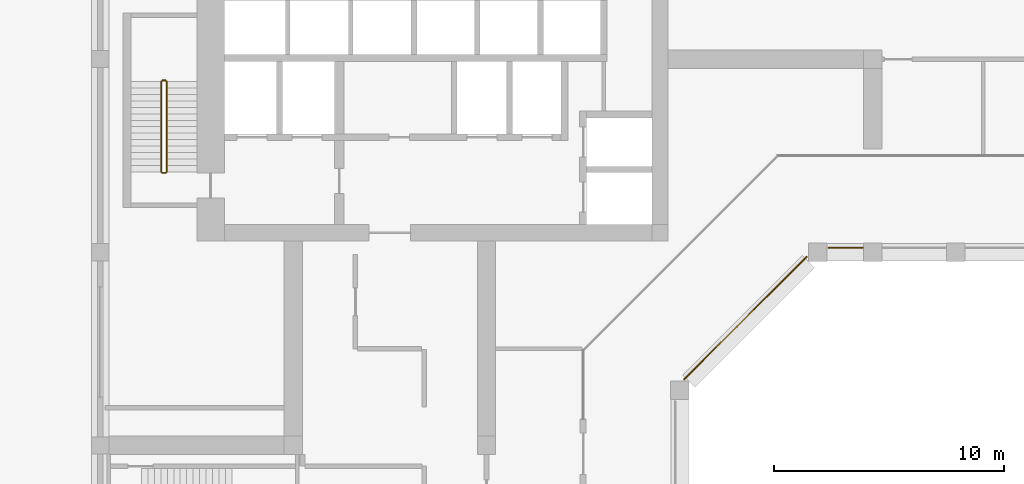
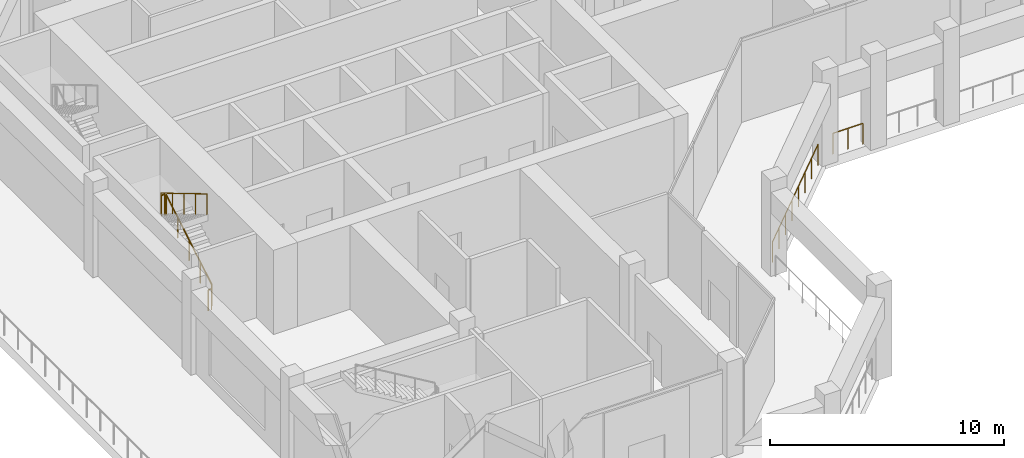
# One storey, part 13 of 16: 6 railings.
"""IFC4 building model written with IfcOpenShell, lengths in metres."""

from ifc_helpers import new_model, si_unit, direction, frame, origin, origin_2d, place, context, subcontext, project, spatial, circle, extrude, material, type_object, element, save


model = new_model("IFC4")

# Units and contexts
model_context = context("Model", 3, precision=1e-05, world=origin(), true_north=direction((0.0, 1.0)))
body_context = subcontext(model_context, "Body", "Model", "MODEL_VIEW")
ifc_project = project(units=[si_unit("LENGTHUNIT", "METRE"), si_unit("AREAUNIT", "SQUARE_METRE"), si_unit("VOLUMEUNIT", "CUBIC_METRE"), si_unit("PLANEANGLEUNIT", "RADIAN"), si_unit("MASSUNIT", "GRAM", prefix="KILO")], contexts=[model_context])

# Site, building, storey
site_placement = place(None, origin())
site = spatial("IfcSite", under=ifc_project, at=site_placement, CompositionType="ELEMENT")
building_placement = place(site_placement, origin())
building = spatial("IfcBuilding", under=site, at=building_placement, Name="Kawkab Arch Medical Tower", CompositionType="ELEMENT")
storey_placement = place(building_placement, frame((0.0, 0.0, 272.60009765625)))
storey = spatial("IfcBuildingStorey", under=building, at=storey_placement, Name="L63", CompositionType="ELEMENT", Elevation=272.60009765625)

# Railings
ifc_material_1 = material(Name="Bronze anodised aluminium guard", Category="aluminium")
railing_type_1 = type_object("IfcRailingType", Name="Loggia and terrace guard 1100", PredefinedType="GUARDRAIL", material=ifc_material_1)
railing_1_placement = place(storey_placement, frame((33.169921875, -25.0, 0.0)))
element("IfcRailing", 1, at=railing_1_placement, inside=storey, type_object=railing_type_1, Name="Guard L63.REF-01.2.12", PredefinedType="GUARDRAIL", context=body_context, shape_type="SweptSolid", body=[
    extrude(circle(Radius=0.02392578125, at=origin_2d()), frame((0.0, 0.0, 1.076171875), z_axis=(-1.0, 0.0, 0.0), x_axis=(0.0, -1.0, 0.0)), (0.0, 0.0, 1.0), 1.489990234375),
    extrude(circle(Radius=0.02099609375, at=origin_2d()), origin(), (0.0, 0.0, 1.0), 1.052001953125),
    extrude(circle(Radius=0.02099609375, at=origin_2d()), frame((-0.7451171875, 0.0, 0.0)), (0.0, 0.0, 1.0), 1.052001953125),
    extrude(circle(Radius=0.02099609375, at=origin_2d()), frame((-1.489990234375, 0.0, 0.0)), (0.0, 0.0, 1.0), 1.052001953125),
])
railing_2_placement = place(storey_placement, frame((30.719970703125, -25.39697265625, 0.0)))
element("IfcRailing", 2, at=railing_2_placement, inside=storey, type_object=railing_type_1, Name="Guard L63.REF-01.2.13", PredefinedType="GUARDRAIL", context=body_context, shape_type="SweptSolid", body=[
    extrude(circle(Radius=0.02392578125, at=origin_2d()), frame((0.0, 0.0, 1.076171875), z_axis=(-0.707106781187, -0.707106781187, 0.0), x_axis=(0.707106781187, -0.707106781187, 0.0)), (0.0, 0.0, 1.0), 7.52783203125),
    extrude(circle(Radius=0.02099609375, at=origin_2d()), origin(), (0.0, 0.0, 1.0), 1.052001953125),
    extrude(circle(Radius=0.02099609375, at=origin_2d()), frame((-0.760498046875, -0.760498046875, 0.0)), (0.0, 0.0, 1.0), 1.052001953125),
    extrude(circle(Radius=0.02099609375, at=origin_2d()), frame((-1.520751953125, -1.520751953125, 0.0)), (0.0, 0.0, 1.0), 1.052001953125),
    extrude(circle(Radius=0.02099609375, at=origin_2d()), frame((-2.28125, -2.28125, 0.0)), (0.0, 0.0, 1.0), 1.052001953125),
    extrude(circle(Radius=0.02099609375, at=origin_2d()), frame((-3.041748046875, -3.041748046875, 0.0)), (0.0, 0.0, 1.0), 1.052001953125),
    extrude(circle(Radius=0.02099609375, at=origin_2d()), frame((-3.80224609375, -3.80224609375, 0.0)), (0.0, 0.0, 1.0), 1.052001953125),
    extrude(circle(Radius=0.02099609375, at=origin_2d()), frame((-4.5625, -4.5625, 0.0)), (0.0, 0.0, 1.0), 1.052001953125),
    extrude(circle(Radius=0.02099609375, at=origin_2d()), frame((-5.322998046875, -5.322998046875, 0.0)), (0.0, 0.0, 1.0), 1.052001953125),
])
ifc_material_2 = material(Name="Stainless steel", Category="steel")
railing_type_2 = type_object("IfcRailingType", Name="Stair guard 1100", PredefinedType="GUARDRAIL", material=ifc_material_2)
railing_3_placement = place(storey_placement, frame((2.89990234375, -21.699951171875, 0.16650390625)))
element("IfcRailing", 3, at=railing_3_placement, inside=storey, type_object=railing_type_2, Name="L63 ST2 stair guard 1", PredefinedType="GUARDRAIL", context=body_context, shape_type="SweptSolid", body=[
    extrude(circle(Radius=0.02392578125, at=origin_2d()), frame((0.0, 0.0, 1.076171875), z_axis=(0.0, 0.859272722373, 0.511517730471), x_axis=(-1.0, 0.0, 0.0)), (0.0, 0.0, 1.0), 4.56201171875),
    extrude(circle(Radius=0.02099609375, at=origin_2d()), origin(), (0.0, 0.0, 1.0), 1.052001953125),
    extrude(circle(Radius=0.02099609375, at=origin_2d()), frame((0.0, 0.97998046875, 0.58349609375)), (0.0, 0.0, 1.0), 1.052001953125),
    extrude(circle(Radius=0.02099609375, at=origin_2d()), frame((0.0, 1.9599609375, 1.166748046875)), (0.0, 0.0, 1.0), 1.052001953125),
    extrude(circle(Radius=0.02099609375, at=origin_2d()), frame((0.0, 2.93994140625, 1.75)), (0.0, 0.0, 1.0), 1.052001953125),
    extrude(circle(Radius=0.02099609375, at=origin_2d()), frame((0.0, 3.919921875, 2.33349609375)), (0.0, 0.0, 1.0), 1.052001953125),
])
railing_4_placement = place(storey_placement, frame((2.85009765625, -17.72998046875, 2.5)))
element("IfcRailing", 4, at=railing_4_placement, inside=storey, type_object=railing_type_2, Name="L63 ST2 stair guard 2", PredefinedType="GUARDRAIL", context=body_context, shape_type="SweptSolid", body=[
    extrude(circle(Radius=0.02392578125, at=origin_2d()), frame((0.0, 0.0, 1.076171875), z_axis=(-1.0, 0.0, 0.0), x_axis=(0.0, -1.0, 0.0)), (0.0, 0.0, 1.0), 0.150146484375),
    extrude(circle(Radius=0.02099609375, at=origin_2d()), origin(), (0.0, 0.0, 1.0), 1.052001953125),
    extrude(circle(Radius=0.02099609375, at=origin_2d()), frame((-0.150146484375, 0.0, 0.0)), (0.0, 0.0, 1.0), 1.052001953125),
])
railing_5_placement = place(storey_placement, frame((2.64990234375, -17.780029296875, 2.66650390625)))
element("IfcRailing", 5, at=railing_5_placement, inside=storey, type_object=railing_type_2, Name="L63 ST2 stair guard 3", PredefinedType="GUARDRAIL", context=body_context, shape_type="SweptSolid", body=[
    extrude(circle(Radius=0.02392578125, at=origin_2d()), frame((0.0, 0.0, 1.076171875), z_axis=(0.0, -0.859272722373, 0.511517730471), x_axis=(1.0, 0.0, 0.0)), (0.0, 0.0, 1.0), 4.56201171875),
    extrude(circle(Radius=0.02099609375, at=origin_2d()), origin(), (0.0, 0.0, 1.0), 1.052001953125),
    extrude(circle(Radius=0.02099609375, at=origin_2d()), frame((0.0, -0.97998046875, 0.58349609375)), (0.0, 0.0, 1.0), 1.052001953125),
    extrude(circle(Radius=0.02099609375, at=origin_2d()), frame((0.0, -1.9599609375, 1.166748046875)), (0.0, 0.0, 1.0), 1.052001953125),
    extrude(circle(Radius=0.02099609375, at=origin_2d()), frame((0.0, -2.93994140625, 1.75)), (0.0, 0.0, 1.0), 1.052001953125),
    extrude(circle(Radius=0.02099609375, at=origin_2d()), frame((0.0, -3.919921875, 2.33349609375)), (0.0, 0.0, 1.0), 1.052001953125),
])
railing_6_placement = place(storey_placement, frame((2.85009765625, -21.75, 0.0)))
element("IfcRailing", 6, at=railing_6_placement, inside=storey, type_object=railing_type_2, Name="L63 ST2 stair guard 4", PredefinedType="GUARDRAIL", context=body_context, shape_type="SweptSolid", body=[
    extrude(circle(Radius=0.02392578125, at=origin_2d()), frame((0.0, 0.0, 1.076171875), z_axis=(-1.0, 0.0, 0.0), x_axis=(0.0, -1.0, 0.0)), (0.0, 0.0, 1.0), 0.150146484375),
    extrude(circle(Radius=0.02099609375, at=origin_2d()), origin(), (0.0, 0.0, 1.0), 1.052001953125),
    extrude(circle(Radius=0.02099609375, at=origin_2d()), frame((-0.150146484375, 0.0, 0.0)), (0.0, 0.0, 1.0), 1.052001953125),
])

save(model, "model.ifc")
